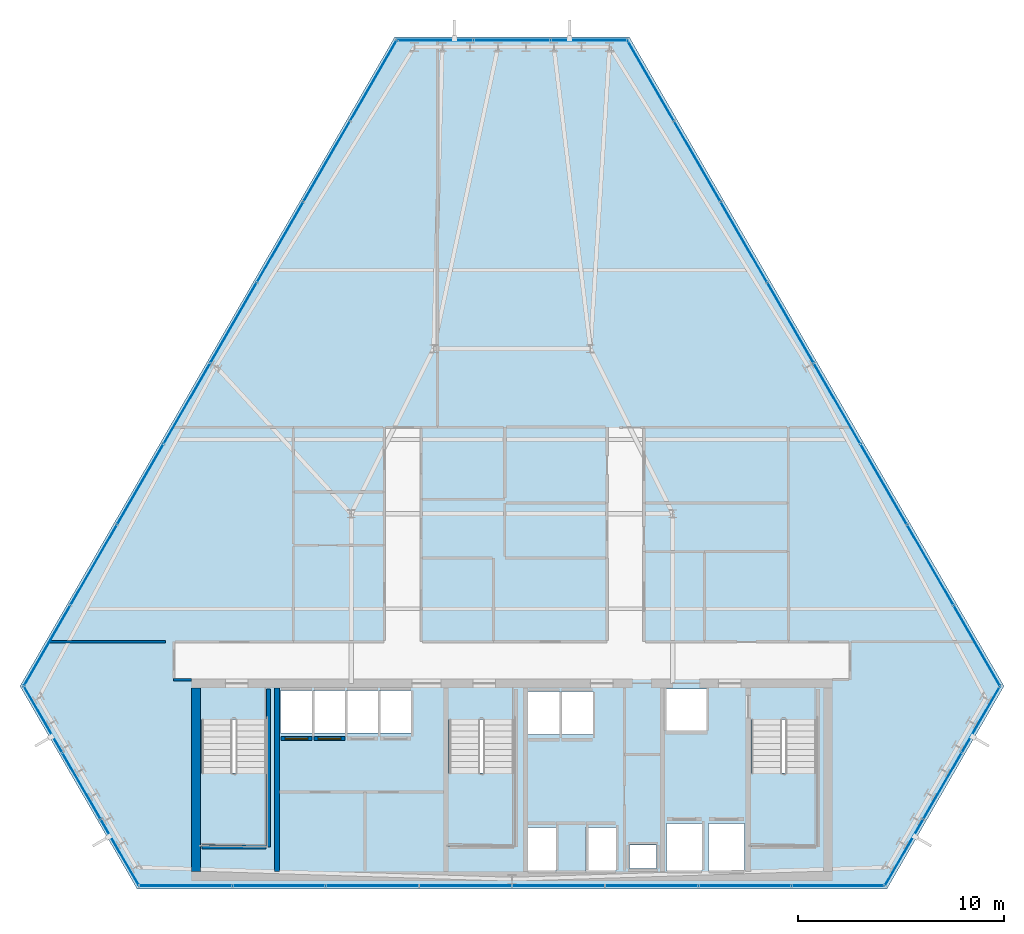
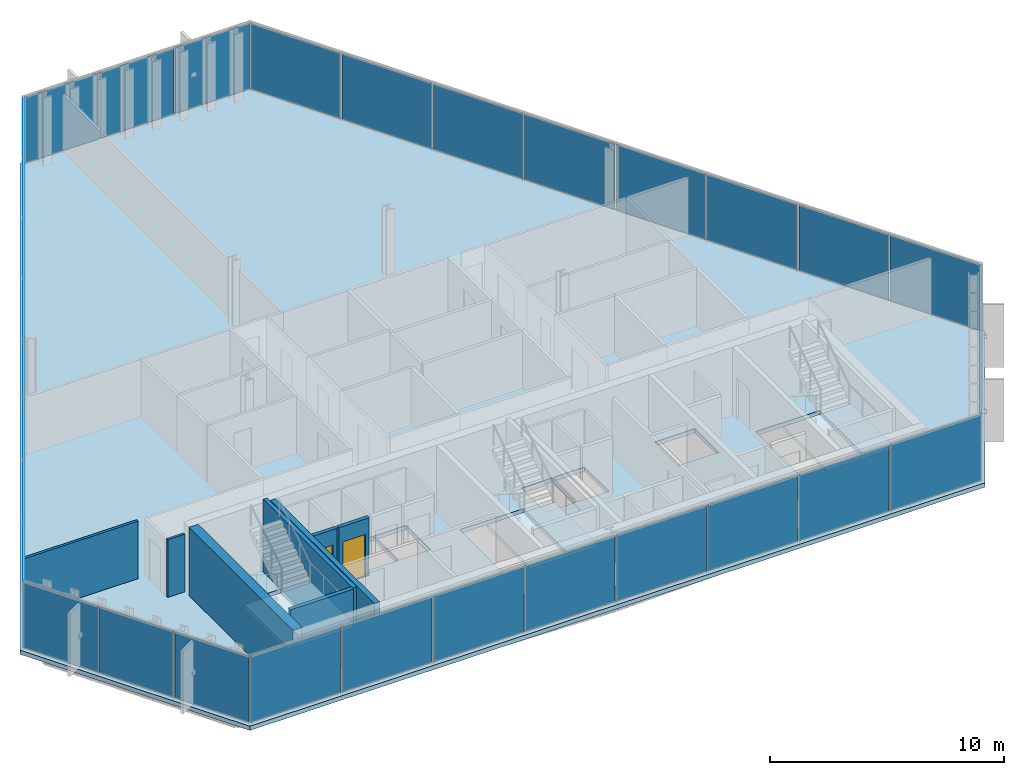
# One storey, part 25 of 33: 33 plates, 8 walls, 4 slabs, 2 doors, 2 openings, 9 elements without a shape of their own.
"""IFC4 building model written with IfcOpenShell, lengths in metres."""

from ifc_helpers import new_model, si_unit, direction, frame, frame_2d, origin, origin_2d, place, context, subcontext, project, spatial, polyline, rectangle, outline, extrude, material, layer, layer_set, type_object, element, fill, aggregate, save


model = new_model("IFC4")

# Units and contexts
model_context = context("Model", 3, precision=1e-05, world=origin(), true_north=direction((0.0, 1.0)))
body_context = subcontext(model_context, "Body", "Model", "MODEL_VIEW")
ifc_project = project(units=[si_unit("LENGTHUNIT", "METRE"), si_unit("AREAUNIT", "SQUARE_METRE"), si_unit("VOLUMEUNIT", "CUBIC_METRE"), si_unit("PLANEANGLEUNIT", "RADIAN"), si_unit("MASSUNIT", "GRAM", prefix="KILO")], contexts=[model_context])

# Site, building, storey
site_placement = place(None, origin())
site = spatial("IfcSite", under=ifc_project, at=site_placement, CompositionType="ELEMENT")
building_placement = place(site_placement, origin())
building = spatial("IfcBuilding", under=site, at=building_placement, Name="Ndaravel Arena Tower", CompositionType="ELEMENT")
storey_placement = place(building_placement, frame((0.0, 0.0, 153.60009765625)))
storey = spatial("IfcBuildingStorey", under=building, at=storey_placement, Name="L36", CompositionType="ELEMENT", Elevation=153.60009765625)

# Curtain wall, plate
ifc_material_1 = material(Name="Aluminium", Category="aluminium")
ifc_layer_1 = layer(ifc_material_1, 0.179931640625)
ifc_layer_set_1 = layer_set([ifc_layer_1], Name="Aluminium")
curtain_wall_type_1 = type_object("IfcCurtainWallType", Name="CW-SYS-01", PredefinedType="NOTDEFINED", material=ifc_layer_set_1)
curtain_wall_1_placement = place(storey_placement, origin())
curtain_wall_1 = element("IfcCurtainWall", 1, at=curtain_wall_1_placement, inside=storey, type_object=curtain_wall_type_1, Name="L36 Faceted Crystal Curtain Wall CW-L36-E02", PredefinedType="NOTDEFINED")
ifc_material_2 = material(Name="Glazing", Category="glass")
ifc_layer_2 = layer(ifc_material_2, 0.035888671875)
ifc_layer_set_2 = layer_set([ifc_layer_2], Name="Glazing")
plate_type_1 = type_object("IfcPlateType", Name="PLT-CW-OPVENT", PredefinedType="CURTAIN_PANEL", material=ifc_layer_set_2)
plate_1_placement = place(storey_placement, frame((62.87158203125, 10.002685546875, 0.059814453125), z_axis=(0.0, 0.0, 1.0), x_axis=(0.5, 0.866025403784, 0.0)))
plate_1 = element("IfcPlate", 2, at=plate_1_placement, type_object=plate_type_1, Name="CW-L36-E02 Operable Vent Sash Panel 02", PredefinedType="CURTAIN_PANEL", context=body_context, shape_type="SweptSolid", body=[
    extrude(rectangle(XDim=3.64794921875, YDim=0.035888671875, at=origin_2d()), origin(), (0.0, 0.0, 1.0), 3.4599609375),
])

curtain_wall_2_placement = place(storey_placement, origin())
curtain_wall_2 = element("IfcCurtainWall", 3, at=curtain_wall_2_placement, inside=storey, type_object=curtain_wall_type_1, Name="L36 Faceted Crystal Curtain Wall CW-L36-E04", PredefinedType="NOTDEFINED")
plate_2_placement = place(storey_placement, frame((42.0, 46.15380859375, 0.059814453125), z_axis=(0.0, 0.0, 1.0), x_axis=(-1.0, 0.0, 0.0)))
plate_2 = element("IfcPlate", 4, at=plate_2_placement, type_object=plate_type_1, Name="CW-L36-E04 Operable Vent Sash Panel 02", PredefinedType="CURTAIN_PANEL", context=body_context, shape_type="SweptSolid", body=[
    extrude(rectangle(XDim=3.64794921875, YDim=0.035888671875, at=origin_2d()), origin(), (0.0, 0.0, 1.0), 3.4599609375),
])

ifc_material_3 = material(Name="Aluminium", Category="aluminium")
ifc_layer_3 = layer(ifc_material_3, 0.179931640625)
ifc_layer_set_3 = layer_set([ifc_layer_3], Name="Aluminium")
curtain_wall_type_2 = type_object("IfcCurtainWallType", Name="CW-SYS-02", PredefinedType="NOTDEFINED", material=ifc_layer_set_3)
curtain_wall_3_placement = place(storey_placement, origin())
curtain_wall_3 = element("IfcCurtainWall", 5, at=curtain_wall_3_placement, inside=storey, type_object=curtain_wall_type_2, Name="L36 Faceted Crystal Curtain Wall CW-L36-E06", PredefinedType="NOTDEFINED")
plate_3_placement = place(storey_placement, frame((21.12841796875, 10.002685546875, 0.059814453125), z_axis=(0.0, 0.0, 1.0), x_axis=(0.5, -0.866025403784, 0.0)))
plate_3 = element("IfcPlate", 6, at=plate_3_placement, type_object=plate_type_1, Name="CW-L36-E06 Operable Vent Sash Panel 02", PredefinedType="CURTAIN_PANEL", context=body_context, shape_type="SweptSolid", body=[
    extrude(rectangle(XDim=3.64794921875, YDim=0.035888671875, at=origin_2d()), origin(), (0.0, 0.0, 1.0), 3.4599609375),
])

# Plate
ifc_material_4 = material(Name="Glazing", Category="glass")
ifc_layer_4 = layer(ifc_material_4, 0.031982421875)
ifc_layer_set_4 = layer_set([ifc_layer_4], Name="Glazing")
plate_type_2 = type_object("IfcPlateType", Name="PLT-GLZ-FRIT35", PredefinedType="CURTAIN_PANEL", material=ifc_layer_set_4)
plate_4_placement = place(storey_placement, frame((61.0078125, 6.774169921875, 0.059814453125), z_axis=(0.0, 0.0, 1.0), x_axis=(0.5, 0.866025403784, 0.0)))
plate_4 = element("IfcPlate", 7, at=plate_4_placement, type_object=plate_type_2, Name="CW-L36-E02 Vision Glass Panel 01", PredefinedType="CURTAIN_PANEL", context=body_context, shape_type="SweptSolid", body=[
    extrude(rectangle(XDim=3.64794921875, YDim=0.035888671875, at=origin_2d()), origin(), (0.0, 0.0, 1.0), 3.4599609375),
])

plate_5_placement = place(storey_placement, frame((64.735595703125, 13.231201171875, 0.059814453125), z_axis=(0.0, 0.0, 1.0), x_axis=(0.5, 0.866025403784, 0.0)))
plate_5 = element("IfcPlate", 8, at=plate_5_placement, type_object=plate_type_2, Name="CW-L36-E02 Vision Glass Panel 03", PredefinedType="CURTAIN_PANEL", context=body_context, shape_type="SweptSolid", body=[
    extrude(rectangle(XDim=3.64794921875, YDim=0.035888671875, at=origin_2d()), origin(), (0.0, 0.0, 1.0), 3.4599609375),
])

aggregate(curtain_wall_1, [plate_4, plate_1, plate_5])

plate_6_placement = place(storey_placement, frame((45.727783203125, 46.15380859375, 0.059814453125), z_axis=(0.0, 0.0, 1.0), x_axis=(-1.0, 0.0, 0.0)))
plate_6 = element("IfcPlate", 9, at=plate_6_placement, type_object=plate_type_2, Name="CW-L36-E04 Vision Glass Panel 01", PredefinedType="CURTAIN_PANEL", context=body_context, shape_type="SweptSolid", body=[
    extrude(rectangle(XDim=3.64794921875, YDim=0.035888671875, at=origin_2d()), origin(), (0.0, 0.0, 1.0), 3.4599609375),
])

plate_7_placement = place(storey_placement, frame((38.272216796875, 46.15380859375, 0.059814453125), z_axis=(0.0, 0.0, 1.0), x_axis=(-1.0, 0.0, 0.0)))
plate_7 = element("IfcPlate", 10, at=plate_7_placement, type_object=plate_type_2, Name="CW-L36-E04 Vision Glass Panel 03", PredefinedType="CURTAIN_PANEL", context=body_context, shape_type="SweptSolid", body=[
    extrude(rectangle(XDim=3.64794921875, YDim=0.035888671875, at=origin_2d()), origin(), (0.0, 0.0, 1.0), 3.4599609375),
])

aggregate(curtain_wall_2, [plate_6, plate_2, plate_7])

ifc_material_5 = material(Name="Glazing", Category="glass")
ifc_layer_5 = layer(ifc_material_5, 0.035888671875)
ifc_layer_set_5 = layer_set([ifc_layer_5], Name="Glazing")
plate_type_3 = type_object("IfcPlateType", Name="PLT-GLZ-FRIT55", PredefinedType="CURTAIN_PANEL", material=ifc_layer_set_5)
plate_8_placement = place(storey_placement, frame((19.264404296875, 13.231201171875, 0.059814453125), z_axis=(0.0, 0.0, 1.0), x_axis=(0.5, -0.866025403784, 0.0)))
plate_8 = element("IfcPlate", 11, at=plate_8_placement, type_object=plate_type_3, Name="CW-L36-E06 Vision Glass Panel 01", PredefinedType="CURTAIN_PANEL", context=body_context, shape_type="SweptSolid", body=[
    extrude(rectangle(XDim=3.64794921875, YDim=0.035888671875, at=origin_2d()), origin(), (0.0, 0.0, 1.0), 3.4599609375),
])

plate_9_placement = place(storey_placement, frame((22.9921875, 6.774169921875, 0.059814453125), z_axis=(0.0, 0.0, 1.0), x_axis=(0.5, -0.866025403784, 0.0)))
plate_9 = element("IfcPlate", 12, at=plate_9_placement, type_object=plate_type_3, Name="CW-L36-E06 Vision Glass Panel 03", PredefinedType="CURTAIN_PANEL", context=body_context, shape_type="SweptSolid", body=[
    extrude(rectangle(XDim=3.64794921875, YDim=0.035888671875, at=origin_2d()), origin(), (0.0, 0.0, 1.0), 3.4599609375),
])

aggregate(curtain_wall_3, [plate_8, plate_3, plate_9])

# Curtain wall, plates
ifc_material_6 = material(Name="Aluminium", Category="aluminium")
ifc_layer_6 = layer(ifc_material_6, 0.179931640625)
ifc_layer_set_6 = layer_set([ifc_layer_6], Name="Aluminium")
curtain_wall_type_3 = type_object("IfcCurtainWallType", Name="CW-SYS-03", PredefinedType="NOTDEFINED", material=ifc_layer_set_6)
curtain_wall_4_placement = place(storey_placement, origin())
curtain_wall_4 = element("IfcCurtainWall", 13, at=curtain_wall_4_placement, inside=storey, type_object=curtain_wall_type_3, Name="L36 Faceted Crystal Curtain Wall CW-L36-E01", PredefinedType="NOTDEFINED")
ifc_material_7 = material(Name="Glazing", Category="glass")
ifc_layer_7 = layer(ifc_material_7, 0.0400390625)
ifc_layer_set_7 = layer_set([ifc_layer_7], Name="Glazing")
plate_type_4 = type_object("IfcPlateType", Name="PLT-GLZ-LOWIRON", PredefinedType="CURTAIN_PANEL", material=ifc_layer_set_7)
plate_10_placement = place(storey_placement, frame((26.18359375, 5.159912109375, 0.059814453125), z_axis=(0.0, 0.0, 1.0), x_axis=(1.0, 0.0, 0.0)))
plate_10 = element("IfcPlate", 14, at=plate_10_placement, type_object=plate_type_4, Name="CW-L36-E01 Vision Glass Panel 01", PredefinedType="CURTAIN_PANEL", context=body_context, shape_type="SweptSolid", body=[
    extrude(rectangle(XDim=4.43896484375, YDim=0.035888671875, at=origin_2d()), origin(), (0.0, 0.0, 1.0), 3.4599609375),
])
plate_11_placement = place(storey_placement, frame((30.70263671875, 5.159912109375, 0.059814453125), z_axis=(0.0, 0.0, 1.0), x_axis=(1.0, 0.0, 0.0)))
plate_11 = element("IfcPlate", 15, at=plate_11_placement, type_object=plate_type_4, Name="CW-L36-E01 Vision Glass Panel 02", PredefinedType="CURTAIN_PANEL", context=body_context, shape_type="SweptSolid", body=[
    extrude(rectangle(XDim=4.43896484375, YDim=0.035888671875, at=origin_2d()), origin(), (0.0, 0.0, 1.0), 3.4599609375),
])
plate_12_placement = place(storey_placement, frame((35.2216796875, 5.159912109375, 0.059814453125), z_axis=(0.0, 0.0, 1.0), x_axis=(1.0, 0.0, 0.0)))
plate_12 = element("IfcPlate", 16, at=plate_12_placement, type_object=plate_type_4, Name="CW-L36-E01 Vision Glass Panel 03", PredefinedType="CURTAIN_PANEL", context=body_context, shape_type="SweptSolid", body=[
    extrude(rectangle(XDim=4.43896484375, YDim=0.035888671875, at=origin_2d()), origin(), (0.0, 0.0, 1.0), 3.4599609375),
])
plate_13_placement = place(storey_placement, frame((39.740478515625, 5.159912109375, 0.059814453125), z_axis=(0.0, 0.0, 1.0), x_axis=(1.0, 0.0, 0.0)))
plate_13 = element("IfcPlate", 17, at=plate_13_placement, type_object=plate_type_4, Name="CW-L36-E01 Vision Glass Panel 04", PredefinedType="CURTAIN_PANEL", context=body_context, shape_type="SweptSolid", body=[
    extrude(rectangle(XDim=4.43896484375, YDim=0.035888671875, at=origin_2d()), origin(), (0.0, 0.0, 1.0), 3.4599609375),
])
plate_14_placement = place(storey_placement, frame((44.259521484375, 5.159912109375, 0.059814453125), z_axis=(0.0, 0.0, 1.0), x_axis=(1.0, 0.0, 0.0)))
plate_14 = element("IfcPlate", 18, at=plate_14_placement, type_object=plate_type_4, Name="CW-L36-E01 Vision Glass Panel 05", PredefinedType="CURTAIN_PANEL", context=body_context, shape_type="SweptSolid", body=[
    extrude(rectangle(XDim=4.43896484375, YDim=0.035888671875, at=origin_2d()), origin(), (0.0, 0.0, 1.0), 3.4599609375),
])
plate_15_placement = place(storey_placement, frame((48.7783203125, 5.159912109375, 0.059814453125), z_axis=(0.0, 0.0, 1.0), x_axis=(1.0, 0.0, 0.0)))
plate_15 = element("IfcPlate", 19, at=plate_15_placement, type_object=plate_type_4, Name="CW-L36-E01 Vision Glass Panel 06", PredefinedType="CURTAIN_PANEL", context=body_context, shape_type="SweptSolid", body=[
    extrude(rectangle(XDim=4.43896484375, YDim=0.035888671875, at=origin_2d()), origin(), (0.0, 0.0, 1.0), 3.4599609375),
])
plate_16_placement = place(storey_placement, frame((53.29736328125, 5.159912109375, 0.059814453125), z_axis=(0.0, 0.0, 1.0), x_axis=(1.0, 0.0, 0.0)))
plate_16 = element("IfcPlate", 20, at=plate_16_placement, type_object=plate_type_4, Name="CW-L36-E01 Vision Glass Panel 07", PredefinedType="CURTAIN_PANEL", context=body_context, shape_type="SweptSolid", body=[
    extrude(rectangle(XDim=4.43896484375, YDim=0.035888671875, at=origin_2d()), origin(), (0.0, 0.0, 1.0), 3.4599609375),
])
plate_17_placement = place(storey_placement, frame((57.81640625, 5.159912109375, 0.059814453125), z_axis=(0.0, 0.0, 1.0), x_axis=(1.0, 0.0, 0.0)))
plate_17 = element("IfcPlate", 21, at=plate_17_placement, type_object=plate_type_4, Name="CW-L36-E01 Vision Glass Panel 08", PredefinedType="CURTAIN_PANEL", context=body_context, shape_type="SweptSolid", body=[
    extrude(rectangle(XDim=4.43896484375, YDim=0.035888671875, at=origin_2d()), origin(), (0.0, 0.0, 1.0), 3.4599609375),
])
aggregate(curtain_wall_4, [plate_10, plate_11, plate_12, plate_13, plate_14, plate_15, plate_16, plate_17])

curtain_wall_5_placement = place(storey_placement, origin())
curtain_wall_5 = element("IfcCurtainWall", 22, at=curtain_wall_5_placement, inside=storey, type_object=curtain_wall_type_3, Name="L36 Faceted Crystal Curtain Wall CW-L36-E03", PredefinedType="NOTDEFINED")
plate_18_placement = place(storey_placement, frame((64.5380859375, 16.80224609375, 0.059814453125), z_axis=(0.0, 0.0, 1.0), x_axis=(-0.5, 0.866025403784, 0.0)))
plate_18 = element("IfcPlate", 23, at=plate_18_placement, type_object=plate_type_4, Name="CW-L36-E03 Vision Glass Panel 01", PredefinedType="CURTAIN_PANEL", context=body_context, shape_type="SweptSolid", body=[
    extrude(rectangle(XDim=4.43896484375, YDim=0.035888671875, at=origin_2d()), origin(), (0.0, 0.0, 1.0), 3.4599609375),
])
plate_19_placement = place(storey_placement, frame((62.278564453125, 20.7158203125, 0.059814453125), z_axis=(0.0, 0.0, 1.0), x_axis=(-0.5, 0.866025403784, 0.0)))
plate_19 = element("IfcPlate", 24, at=plate_19_placement, type_object=plate_type_4, Name="CW-L36-E03 Vision Glass Panel 02", PredefinedType="CURTAIN_PANEL", context=body_context, shape_type="SweptSolid", body=[
    extrude(rectangle(XDim=4.43896484375, YDim=0.035888671875, at=origin_2d()), origin(), (0.0, 0.0, 1.0), 3.4599609375),
])
plate_20_placement = place(storey_placement, frame((60.01904296875, 24.629150390625, 0.059814453125), z_axis=(0.0, 0.0, 1.0), x_axis=(-0.5, 0.866025403784, 0.0)))
plate_20 = element("IfcPlate", 25, at=plate_20_placement, type_object=plate_type_4, Name="CW-L36-E03 Vision Glass Panel 03", PredefinedType="CURTAIN_PANEL", context=body_context, shape_type="SweptSolid", body=[
    extrude(rectangle(XDim=4.43896484375, YDim=0.035888671875, at=origin_2d()), origin(), (0.0, 0.0, 1.0), 3.4599609375),
])
plate_21_placement = place(storey_placement, frame((57.759521484375, 28.542724609375, 0.059814453125), z_axis=(0.0, 0.0, 1.0), x_axis=(-0.5, 0.866025403784, 0.0)))
plate_21 = element("IfcPlate", 26, at=plate_21_placement, type_object=plate_type_4, Name="CW-L36-E03 Vision Glass Panel 04", PredefinedType="CURTAIN_PANEL", context=body_context, shape_type="SweptSolid", body=[
    extrude(rectangle(XDim=4.43896484375, YDim=0.035888671875, at=origin_2d()), origin(), (0.0, 0.0, 1.0), 3.4599609375),
])
plate_22_placement = place(storey_placement, frame((55.5, 32.456298828125, 0.059814453125), z_axis=(0.0, 0.0, 1.0), x_axis=(-0.5, 0.866025403784, 0.0)))
plate_22 = element("IfcPlate", 27, at=plate_22_placement, type_object=plate_type_4, Name="CW-L36-E03 Vision Glass Panel 05", PredefinedType="CURTAIN_PANEL", context=body_context, shape_type="SweptSolid", body=[
    extrude(rectangle(XDim=4.43896484375, YDim=0.035888671875, at=origin_2d()), origin(), (0.0, 0.0, 1.0), 3.4599609375),
])
plate_23_placement = place(storey_placement, frame((53.240478515625, 36.369873046875, 0.059814453125), z_axis=(0.0, 0.0, 1.0), x_axis=(-0.5, 0.866025403784, 0.0)))
plate_23 = element("IfcPlate", 28, at=plate_23_placement, type_object=plate_type_4, Name="CW-L36-E03 Vision Glass Panel 06", PredefinedType="CURTAIN_PANEL", context=body_context, shape_type="SweptSolid", body=[
    extrude(rectangle(XDim=4.43896484375, YDim=0.035888671875, at=origin_2d()), origin(), (0.0, 0.0, 1.0), 3.4599609375),
])
plate_24_placement = place(storey_placement, frame((50.981201171875, 40.283447265625, 0.059814453125), z_axis=(0.0, 0.0, 1.0), x_axis=(-0.5, 0.866025403784, 0.0)))
plate_24 = element("IfcPlate", 29, at=plate_24_placement, type_object=plate_type_4, Name="CW-L36-E03 Vision Glass Panel 07", PredefinedType="CURTAIN_PANEL", context=body_context, shape_type="SweptSolid", body=[
    extrude(rectangle(XDim=4.43896484375, YDim=0.035888671875, at=origin_2d()), origin(), (0.0, 0.0, 1.0), 3.4599609375),
])
plate_25_placement = place(storey_placement, frame((48.7216796875, 44.197021484375, 0.059814453125), z_axis=(0.0, 0.0, 1.0), x_axis=(-0.5, 0.866025403784, 0.0)))
plate_25 = element("IfcPlate", 30, at=plate_25_placement, type_object=plate_type_4, Name="CW-L36-E03 Vision Glass Panel 08", PredefinedType="CURTAIN_PANEL", context=body_context, shape_type="SweptSolid", body=[
    extrude(rectangle(XDim=4.43896484375, YDim=0.035888671875, at=origin_2d()), origin(), (0.0, 0.0, 1.0), 3.4599609375),
])
aggregate(curtain_wall_5, [plate_18, plate_19, plate_20, plate_21, plate_22, plate_23, plate_24, plate_25])

curtain_wall_6_placement = place(storey_placement, origin())
curtain_wall_6 = element("IfcCurtainWall", 31, at=curtain_wall_6_placement, inside=storey, type_object=curtain_wall_type_3, Name="L36 Faceted Crystal Curtain Wall CW-L36-E05", PredefinedType="NOTDEFINED")
plate_26_placement = place(storey_placement, frame((35.2783203125, 44.197021484375, 0.059814453125), z_axis=(0.0, 0.0, 1.0), x_axis=(-0.5, -0.866025403784, 0.0)))
plate_26 = element("IfcPlate", 32, at=plate_26_placement, type_object=plate_type_4, Name="CW-L36-E05 Vision Glass Panel 01", PredefinedType="CURTAIN_PANEL", context=body_context, shape_type="SweptSolid", body=[
    extrude(rectangle(XDim=4.43896484375, YDim=0.035888671875, at=origin_2d()), origin(), (0.0, 0.0, 1.0), 3.4599609375),
])
plate_27_placement = place(storey_placement, frame((33.018798828125, 40.283447265625, 0.059814453125), z_axis=(0.0, 0.0, 1.0), x_axis=(-0.5, -0.866025403784, 0.0)))
plate_27 = element("IfcPlate", 33, at=plate_27_placement, type_object=plate_type_4, Name="CW-L36-E05 Vision Glass Panel 02", PredefinedType="CURTAIN_PANEL", context=body_context, shape_type="SweptSolid", body=[
    extrude(rectangle(XDim=4.43896484375, YDim=0.035888671875, at=origin_2d()), origin(), (0.0, 0.0, 1.0), 3.4599609375),
])
plate_28_placement = place(storey_placement, frame((30.759521484375, 36.369873046875, 0.059814453125), z_axis=(0.0, 0.0, 1.0), x_axis=(-0.5, -0.866025403784, 0.0)))
plate_28 = element("IfcPlate", 34, at=plate_28_placement, type_object=plate_type_4, Name="CW-L36-E05 Vision Glass Panel 03", PredefinedType="CURTAIN_PANEL", context=body_context, shape_type="SweptSolid", body=[
    extrude(rectangle(XDim=4.43896484375, YDim=0.035888671875, at=origin_2d()), origin(), (0.0, 0.0, 1.0), 3.4599609375),
])
plate_29_placement = place(storey_placement, frame((28.5, 32.456298828125, 0.059814453125), z_axis=(0.0, 0.0, 1.0), x_axis=(-0.5, -0.866025403784, 0.0)))
plate_29 = element("IfcPlate", 35, at=plate_29_placement, type_object=plate_type_4, Name="CW-L36-E05 Vision Glass Panel 04", PredefinedType="CURTAIN_PANEL", context=body_context, shape_type="SweptSolid", body=[
    extrude(rectangle(XDim=4.43896484375, YDim=0.035888671875, at=origin_2d()), origin(), (0.0, 0.0, 1.0), 3.4599609375),
])
plate_30_placement = place(storey_placement, frame((26.240478515625, 28.542724609375, 0.059814453125), z_axis=(0.0, 0.0, 1.0), x_axis=(-0.5, -0.866025403784, 0.0)))
plate_30 = element("IfcPlate", 36, at=plate_30_placement, type_object=plate_type_4, Name="CW-L36-E05 Vision Glass Panel 05", PredefinedType="CURTAIN_PANEL", context=body_context, shape_type="SweptSolid", body=[
    extrude(rectangle(XDim=4.43896484375, YDim=0.035888671875, at=origin_2d()), origin(), (0.0, 0.0, 1.0), 3.4599609375),
])
plate_31_placement = place(storey_placement, frame((23.98095703125, 24.629150390625, 0.059814453125), z_axis=(0.0, 0.0, 1.0), x_axis=(-0.5, -0.866025403784, 0.0)))
plate_31 = element("IfcPlate", 37, at=plate_31_placement, type_object=plate_type_4, Name="CW-L36-E05 Vision Glass Panel 06", PredefinedType="CURTAIN_PANEL", context=body_context, shape_type="SweptSolid", body=[
    extrude(rectangle(XDim=4.43896484375, YDim=0.035888671875, at=origin_2d()), origin(), (0.0, 0.0, 1.0), 3.4599609375),
])
plate_32_placement = place(storey_placement, frame((21.721435546875, 20.7158203125, 0.059814453125), z_axis=(0.0, 0.0, 1.0), x_axis=(-0.5, -0.866025403784, 0.0)))
plate_32 = element("IfcPlate", 38, at=plate_32_placement, type_object=plate_type_4, Name="CW-L36-E05 Vision Glass Panel 07", PredefinedType="CURTAIN_PANEL", context=body_context, shape_type="SweptSolid", body=[
    extrude(rectangle(XDim=4.43896484375, YDim=0.035888671875, at=origin_2d()), origin(), (0.0, 0.0, 1.0), 3.4599609375),
])
plate_33_placement = place(storey_placement, frame((19.4619140625, 16.80224609375, 0.059814453125), z_axis=(0.0, 0.0, 1.0), x_axis=(-0.5, -0.866025403784, 0.0)))
plate_33 = element("IfcPlate", 39, at=plate_33_placement, type_object=plate_type_4, Name="CW-L36-E05 Vision Glass Panel 08", PredefinedType="CURTAIN_PANEL", context=body_context, shape_type="SweptSolid", body=[
    extrude(rectangle(XDim=4.43896484375, YDim=0.035888671875, at=origin_2d()), origin(), (0.0, 0.0, 1.0), 3.4599609375),
])
aggregate(curtain_wall_6, [plate_26, plate_27, plate_28, plate_29, plate_30, plate_31, plate_32, plate_33])

# Stair, slab
ifc_material_8 = material(Name="Concrete C40/50", Category="concrete")
stair_type = type_object("IfcStairType", Name="STAIR-CORE-HT", PredefinedType="HALF_TURN_STAIR", material=ifc_material_8)
stair_1_placement = place(storey_placement, origin())
stair_1 = element("IfcStair", 40, at=stair_1_placement, inside=storey, type_object=stair_type, Name="L36 ST-1", PredefinedType="HALF_TURN_STAIR")
ifc_material_9 = material(Name="Concrete C40/50", Category="concrete")
ifc_layer_8 = layer(ifc_material_9, 0.199951171875)
ifc_layer_set_8 = layer_set([ifc_layer_8], Name="Concrete C40/50")
slab_type_1 = type_object("IfcSlabType", Name="SLAB-STAIR-LANDING", PredefinedType="LANDING", material=ifc_layer_set_8)
slab_1_placement = place(storey_placement, frame((0.0, 0.0, 1.699951171875)))
slab_1 = element("IfcSlab", 41, at=slab_1_placement, type_object=slab_type_1, Name="ST-1 landing 1", PredefinedType="LANDING", context=body_context, shape_type="SweptSolid", body=[
    extrude(outline(polyline([(26.81005859375, 10.6298828125), (26.81005859375, 7.070068359375), (30.169921875, 7.070068359375), (30.169921875, 10.6298828125), (26.81005859375, 10.6298828125)])), origin(), (0.0, 0.0, 1.0), 0.199951171875),
])
aggregate(stair_1, [slab_1])

stair_2_placement = place(storey_placement, origin())
stair_2 = element("IfcStair", 42, at=stair_2_placement, inside=storey, type_object=stair_type, Name="L36 ST-2", PredefinedType="HALF_TURN_STAIR")
slab_2_placement = place(storey_placement, frame((0.0, 0.0, 1.699951171875)))
slab_2 = element("IfcSlab", 43, at=slab_2_placement, type_object=slab_type_1, Name="ST-2 landing 1", PredefinedType="LANDING", context=body_context, shape_type="SweptSolid", body=[
    extrude(outline(polyline([(38.81005859375, 10.6298828125), (38.81005859375, 7.070068359375), (42.169921875, 7.070068359375), (42.169921875, 10.6298828125), (38.81005859375, 10.6298828125)])), origin(), (0.0, 0.0, 1.0), 0.199951171875),
])
aggregate(stair_2, [slab_2])

stair_3_placement = place(storey_placement, origin())
stair_3 = element("IfcStair", 44, at=stair_3_placement, inside=storey, type_object=stair_type, Name="L36 ST-3", PredefinedType="HALF_TURN_STAIR")
slab_3_placement = place(storey_placement, frame((0.0, 0.0, 1.699951171875)))
slab_3 = element("IfcSlab", 45, at=slab_3_placement, type_object=slab_type_1, Name="ST-3 landing 1", PredefinedType="LANDING", context=body_context, shape_type="SweptSolid", body=[
    extrude(outline(polyline([(53.4599609375, 10.6298828125), (53.4599609375, 7.070068359375), (56.820068359375, 7.070068359375), (56.820068359375, 10.6298828125), (53.4599609375, 10.6298828125)])), origin(), (0.0, 0.0, 1.0), 0.199951171875),
])
aggregate(stair_3, [slab_3])

# Slab
ifc_material_10 = material(Name="Concrete C40/50", Category="concrete")
ifc_layer_9 = layer(ifc_material_10, 0.219970703125)
ifc_layer_set_9 = layer_set([ifc_layer_9], Name="Concrete C40/50")
slab_type_2 = type_object("IfcSlabType", Name="SLAB-TWR-220", PredefinedType="FLOOR", material=ifc_layer_set_9)
slab_4_placement = place(storey_placement, frame((0.0, 0.0, -0.22021484375)))
element("IfcSlab", 46, at=slab_4_placement, inside=storey, type_object=slab_type_2, Name="L36 Structural Floor Slab", PredefinedType="FLOOR", context=body_context, shape_type="SweptSolid", body=[
    extrude(outline(polyline([(18.1474609375, 14.845458984375), (23.831787109375, 5.0), (60.168212890625, 5.0), (65.8525390625, 14.845458984375), (47.684326171875, 46.313720703125), (36.315673828125, 46.313720703125), (18.1474609375, 14.845458984375)]), holes=[polyline([(26.949951171875, 13.215087890625), (26.949951171875, 7.14990234375), (30.090087890625, 7.14990234375), (30.090087890625, 13.215087890625), (26.949951171875, 13.215087890625)]), polyline([(38.949951171875, 13.215087890625), (38.949951171875, 7.14990234375), (42.090087890625, 7.14990234375), (42.090087890625, 13.215087890625), (38.949951171875, 13.215087890625)]), polyline([(53.60009765625, 13.215087890625), (53.60009765625, 7.14990234375), (56.739990234375, 7.14990234375), (56.739990234375, 13.215087890625), (53.60009765625, 13.215087890625)]), polyline([(30.784912109375, 12.56005859375), (32.31494140625, 12.56005859375), (32.31494140625, 14.639892578125), (30.784912109375, 14.639892578125), (30.784912109375, 12.56005859375)]), polyline([(32.385009765625, 12.56005859375), (33.9150390625, 12.56005859375), (33.9150390625, 14.639892578125), (32.385009765625, 14.639892578125), (32.385009765625, 12.56005859375)]), polyline([(33.985107421875, 12.56005859375), (35.514892578125, 12.56005859375), (35.514892578125, 14.639892578125), (33.985107421875, 14.639892578125), (33.985107421875, 12.56005859375)]), polyline([(35.5849609375, 12.56005859375), (37.114990234375, 12.56005859375), (37.114990234375, 14.639892578125), (35.5849609375, 14.639892578125), (35.5849609375, 12.56005859375)]), polyline([(42.659912109375, 5.909912109375), (44.139892578125, 5.909912109375), (44.139892578125, 7.989990234375), (42.659912109375, 7.989990234375), (42.659912109375, 5.909912109375)]), polyline([(45.56005859375, 5.909912109375), (47.0400390625, 5.909912109375), (47.0400390625, 7.989990234375), (45.56005859375, 7.989990234375), (45.56005859375, 5.909912109375)]), polyline([(42.784912109375, 12.510009765625), (44.31494140625, 12.510009765625), (44.31494140625, 14.590087890625), (42.784912109375, 14.590087890625), (42.784912109375, 12.510009765625)]), polyline([(44.385009765625, 12.510009765625), (45.9150390625, 12.510009765625), (45.9150390625, 14.590087890625), (44.385009765625, 14.590087890625), (44.385009765625, 12.510009765625)]), polyline([(49.485107421875, 5.909912109375), (51.215087890625, 5.909912109375), (51.215087890625, 8.18994140625), (49.485107421875, 8.18994140625), (49.485107421875, 5.909912109375)]), polyline([(51.534912109375, 5.909912109375), (53.264892578125, 5.909912109375), (53.264892578125, 8.18994140625), (51.534912109375, 8.18994140625), (51.534912109375, 5.909912109375)]), polyline([(49.4599609375, 12.68505859375), (51.43994140625, 12.68505859375), (51.43994140625, 14.715087890625), (49.4599609375, 14.715087890625), (49.4599609375, 12.68505859375)]), polyline([(47.699951171875, 6.0), (49.0, 6.0), (49.0, 7.139892578125), (47.699951171875, 7.139892578125), (47.699951171875, 6.0)])]), origin(), (0.0, 0.0, 1.0), 0.22021484375),
])

# Walls
ifc_material_11 = material(Name="Concrete C60/75", Category="concrete")
ifc_layer_10 = layer(ifc_material_11, 0.25)
ifc_layer_set_10 = layer_set([ifc_layer_10], Name="Concrete C60/75")
wall_type_1 = type_object("IfcWallType", Name="WALL-CORE-250", PredefinedType="SOLIDWALL", material=ifc_layer_set_10)
wall_1_placement = place(storey_placement, frame((30.60009765625, 5.85009765625, 0.0), z_axis=(0.0, 0.0, 1.0), x_axis=(0.0, 1.0, 0.0)))
element("IfcWall", 47, at=wall_1_placement, inside=storey, type_object=wall_type_1, Name="L36 Core Web Shear Wall 1", PredefinedType="SOLIDWALL", context=body_context, shape_type="SweptSolid", body=[
    extrude(rectangle(XDim=8.89990234375, YDim=0.25, at=frame_2d((4.449951171875, 0.0))), origin(), (0.0, 0.0, 1.0), 3.579833984375),
])
ifc_material_12 = material(Name="Concrete C60/75", Category="concrete")
ifc_layer_11 = layer(ifc_material_12, 0.449951171875)
ifc_layer_set_11 = layer_set([ifc_layer_11], Name="Concrete C60/75")
wall_type_2 = type_object("IfcWallType", Name="WALL-CORE-450", PredefinedType="SOLIDWALL", material=ifc_layer_set_11)
wall_2_placement = place(storey_placement, frame((26.675048828125, 5.85009765625, 0.0), z_axis=(0.0, 0.0, 1.0), x_axis=(0.0, 1.0, 0.0)))
element("IfcWall", 48, at=wall_2_placement, inside=storey, type_object=wall_type_2, Name="L36 Core West Shear Wall", PredefinedType="SOLIDWALL", context=body_context, shape_type="SweptSolid", body=[
    extrude(rectangle(XDim=8.89990234375, YDim=0.449951171875, at=frame_2d((4.449951171875, 0.0))), origin(), (0.0, 0.0, 1.0), 3.579833984375),
])
ifc_material_13 = material(Name="Gypsum", Category="gypsum")
ifc_layer_12 = layer(ifc_material_13, 0.125)
ifc_layer_set_12 = layer_set([ifc_layer_12], Name="Gypsum")
wall_type_3 = type_object("IfcWallType", Name="WALL-PART-125", PredefinedType="PARTITIONING", material=ifc_layer_set_12)
wall_3_placement = place(storey_placement, frame((26.449951171875, 15.14990234375, 0.0), z_axis=(0.0, 0.0, 1.0), x_axis=(-1.0, 0.0, 0.0)))
element("IfcWall", 49, at=wall_3_placement, inside=storey, type_object=wall_type_3, Name="L36 Interior Partition 003", PredefinedType="PARTITIONING", context=body_context, shape_type="SweptSolid", body=[
    extrude(rectangle(XDim=0.849853515625, YDim=0.125, at=frame_2d((0.4248046875, 0.0))), origin(), (0.0, 0.0, 1.0), 3.010498046875),
])
wall_4_placement = place(storey_placement, frame((19.576171875, 17.0, 0.0), z_axis=(0.0, 0.0, 1.0), x_axis=(1.0, 0.0, 0.0)))
element("IfcWall", 50, at=wall_4_placement, inside=storey, type_object=wall_type_3, Name="L36 Interior Partition 026", PredefinedType="PARTITIONING", context=body_context, shape_type="SweptSolid", body=[
    extrude(rectangle(XDim=5.623779296875, YDim=0.125, at=frame_2d((2.81201171875, 0.0))), origin(), (0.0, 0.0, 1.0), 3.010498046875),
])
ifc_material_14 = material(Name="Concrete C40/50", Category="concrete")
ifc_layer_13 = layer(ifc_material_14, 0.199951171875)
ifc_layer_set_13 = layer_set([ifc_layer_13], Name="Concrete C40/50")
wall_type_4 = type_object("IfcWallType", Name="WALL-SHAFT-200", PredefinedType="SOLIDWALL", material=ifc_layer_set_13)
wall_5_placement = place(storey_placement, frame((30.18994140625, 14.699951171875, 0.0), z_axis=(0.0, 0.0, 1.0), x_axis=(0.0, -1.0, 0.0)))
element("IfcWall", 51, at=wall_5_placement, inside=storey, type_object=wall_type_4, Name="L36 ST-1 Structural Shaft Wall Right", PredefinedType="SOLIDWALL", context=body_context, shape_type="SweptSolid", body=[
    extrude(rectangle(XDim=7.64990234375, YDim=0.199951171875, at=frame_2d((3.824951171875, 0.0))), origin(), (0.0, 0.0, 1.0), 3.7998046875),
])
wall_6_placement = place(storey_placement, frame((26.969970703125, 7.050048828125, 0.0), z_axis=(0.0, 0.0, 1.0), x_axis=(1.0, 0.0, 0.0)))
element("IfcWall", 52, at=wall_6_placement, inside=storey, type_object=wall_type_4, Name="L36 ST-1 Structural Shaft Wall Far", PredefinedType="SOLIDWALL", context=body_context, shape_type="SweptSolid", body=[
    extrude(rectangle(XDim=3.114990234375, YDim=0.199951171875, at=frame_2d((1.5576171875, 0.0))), origin(), (0.0, 0.0, 1.0), 3.7998046875),
])

# Wall, opening, door
wall_7_placement = place(storey_placement, frame((30.804931640625, 12.300048828125, 0.0), z_axis=(0.0, 0.0, 1.0), x_axis=(1.0, 0.0, 0.0)))
wall_7 = element("IfcWall", 53, at=wall_7_placement, inside=storey, type_object=wall_type_4, Name="L36 PL-M1 Shaft Landing Wall", PredefinedType="SOLIDWALL", context=body_context, shape_type="SweptSolid", body=[
    extrude(rectangle(XDim=1.489990234375, YDim=0.179931640625, at=frame_2d((0.7451171875, 0.0))), origin(), (0.0, 0.0, 1.0), 3.010498046875),
])
opening_1_placement = place(wall_7_placement, frame((0.195068359375, 0.0, 0.0)))
opening_1 = element("IfcOpeningElement", 54, at=opening_1_placement, cuts=wall_7, Name="Opening LD-01", PredefinedType="OPENING", context=body_context, shape_type="SweptSolid", body=[
    extrude(rectangle(XDim=1.10009765625, YDim=2.199951171875, at=frame_2d((0.550048828125, 1.10009765625))), frame((0.0, 0.08984375, 0.0), z_axis=(0.0, -1.0, 0.0), x_axis=(1.0, 0.0, 0.0)), (0.0, 0.0, 1.0), 0.179931640625),
])
ifc_material_15 = material(Name="Steel S355", Category="steel")
door_type = type_object("IfcDoorType", Name="DT-06-LIFT-1100", OperationType="SLIDING_TO_LEFT", PredefinedType="DOOR", material=ifc_material_15)
door_1_placement = place(opening_1_placement, origin())
door_1 = element("IfcDoor", 55, at=door_1_placement, inside=storey, type_object=door_type, Name="L36 Lift PL-M1 Sliding Landing Door", OperationType="SLIDING_TO_LEFT", OverallHeight=2.199951171875, OverallWidth=1.10009765625, PredefinedType="DOOR", context=body_context, shape_type="SweptSolid", body=[
    extrude(rectangle(XDim=1.10009765625, YDim=2.199951171875, at=frame_2d((0.550048828125, 1.10009765625))), frame((0.0, 0.02490234375, 0.0), z_axis=(0.0, -1.0, 0.0), x_axis=(1.0, 0.0, 0.0)), (0.0, 0.0, 1.0), 0.050048828125),
])
fill(opening_1, door_1)

wall_8_placement = place(storey_placement, frame((32.405029296875, 12.300048828125, 0.0), z_axis=(0.0, 0.0, 1.0), x_axis=(1.0, 0.0, 0.0)))
wall_8 = element("IfcWall", 56, at=wall_8_placement, inside=storey, type_object=wall_type_4, Name="L36 PL-M2 Shaft Landing Wall", PredefinedType="SOLIDWALL", context=body_context, shape_type="SweptSolid", body=[
    extrude(rectangle(XDim=1.489990234375, YDim=0.179931640625, at=frame_2d((0.7451171875, 0.0))), origin(), (0.0, 0.0, 1.0), 3.010498046875),
])
opening_2_placement = place(wall_8_placement, frame((0.195068359375, 0.0, 0.0)))
opening_2 = element("IfcOpeningElement", 57, at=opening_2_placement, cuts=wall_8, Name="Opening LD-01", PredefinedType="OPENING", context=body_context, shape_type="SweptSolid", body=[
    extrude(rectangle(XDim=1.10009765625, YDim=2.199951171875, at=frame_2d((0.550048828125, 1.10009765625))), frame((0.0, 0.08984375, 0.0), z_axis=(0.0, -1.0, 0.0), x_axis=(1.0, 0.0, 0.0)), (0.0, 0.0, 1.0), 0.179931640625),
])
door_2_placement = place(opening_2_placement, origin())
door_2 = element("IfcDoor", 58, at=door_2_placement, inside=storey, type_object=door_type, Name="L36 Lift PL-M2 Sliding Landing Door", OperationType="SLIDING_TO_LEFT", OverallHeight=2.199951171875, OverallWidth=1.10009765625, PredefinedType="DOOR", context=body_context, shape_type="SweptSolid", body=[
    extrude(rectangle(XDim=1.10009765625, YDim=2.199951171875, at=frame_2d((0.550048828125, 1.10009765625))), frame((0.0, 0.02490234375, 0.0), z_axis=(0.0, -1.0, 0.0), x_axis=(1.0, 0.0, 0.0)), (0.0, 0.0, 1.0), 0.050048828125),
])
fill(opening_2, door_2)

save(model, "model.ifc")
